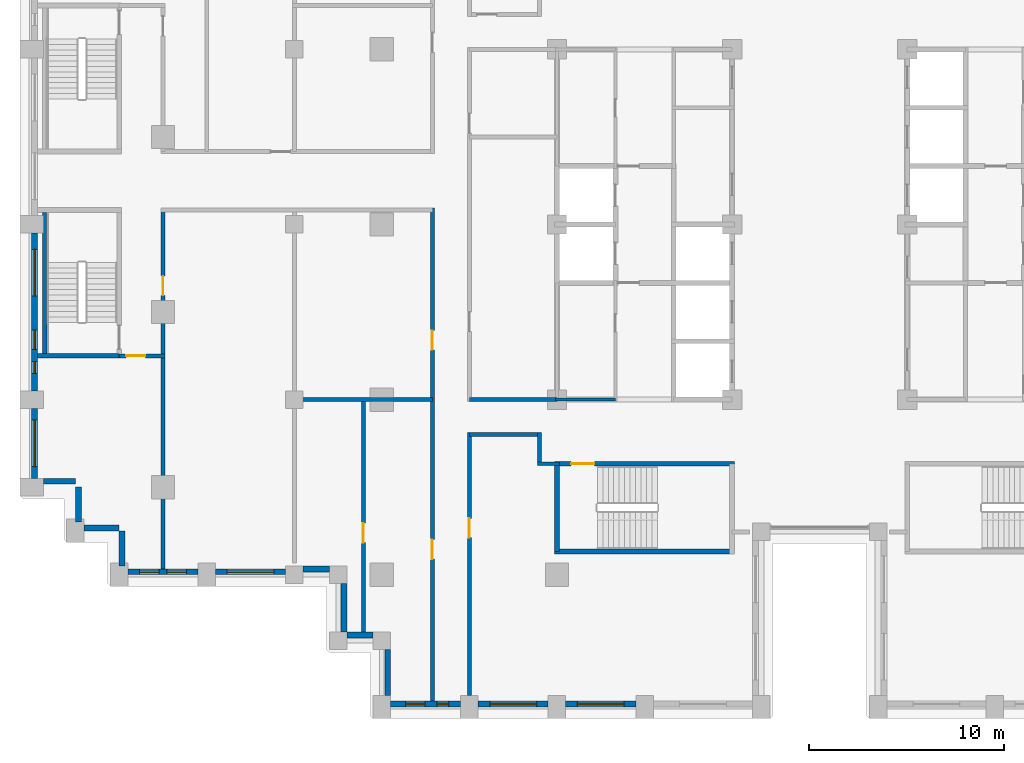
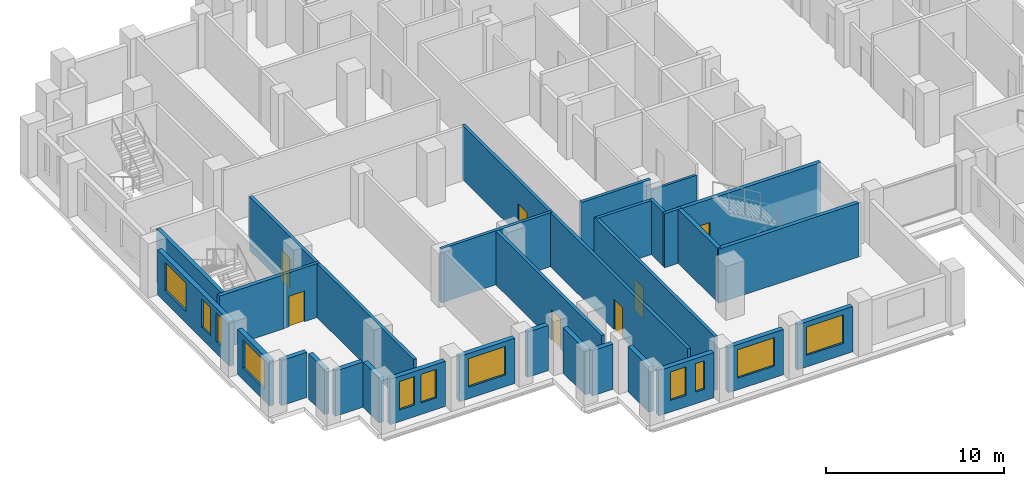
# One storey, part 6 of 15: 31 walls, 11 windows, 7 doors, 18 openings.
"""IFC4 building model written with IfcOpenShell, lengths in metres."""

from ifc_helpers import new_model, si_unit, direction, frame, frame_2d, origin, place, context, subcontext, project, spatial, rectangle, extrude, material, layer, layer_set, type_object, element, fill, save


model = new_model("IFC4")

# Units and contexts
model_context = context("Model", 3, precision=1e-05, world=origin(), true_north=direction((0.0, 1.0)))
body_context = subcontext(model_context, "Body", "Model", "MODEL_VIEW")
ifc_project = project(units=[si_unit("LENGTHUNIT", "METRE"), si_unit("AREAUNIT", "SQUARE_METRE"), si_unit("VOLUMEUNIT", "CUBIC_METRE"), si_unit("PLANEANGLEUNIT", "RADIAN"), si_unit("MASSUNIT", "GRAM", prefix="KILO")], contexts=[model_context])

# Site, building, storey
site_placement = place(None, origin())
site = spatial("IfcSite", under=ifc_project, at=site_placement, CompositionType="ELEMENT")
building_placement = place(site_placement, origin())
building = spatial("IfcBuilding", under=site, at=building_placement, Name="Corbelhall Arena Tower", CompositionType="ELEMENT")
storey_placement = place(building_placement, frame((0.0, 0.0, 96.0)))
storey = spatial("IfcBuildingStorey", under=building, at=storey_placement, Name="L16", CompositionType="ELEMENT", Elevation=96.0)

# Walls
ifc_material_1 = material(Name="Precast concrete C40/50 with granite facing", Category="masonry")
ifc_layer_1 = layer(ifc_material_1, 0.300048828125)
ifc_layer_set_1 = layer_set([ifc_layer_1], Name="EV-IW1 Infill panel 300")
wall_type_1 = type_object("IfcWallType", Name="EV-IW1 Infill panel 300", PredefinedType="SOLIDWALL", material=ifc_layer_set_1)
wall_1_placement = place(storey_placement, frame((-39.89990234375, -13.199951171875, 0.0), z_axis=(0.0, 0.0, 1.0), x_axis=(1.0, 0.0, 0.0)))
element("IfcWall", 1, at=wall_1_placement, inside=storey, type_object=wall_type_1, Name="Infill panel IW1", PredefinedType="SOLIDWALL", context=body_context, shape_type="SweptSolid", body=[
    extrude(rectangle(XDim=1.64990234375, YDim=0.300048828125, at=frame_2d((0.824951171875, 0.0))), origin(), (0.0, 0.0, 1.0), 3.10009765625),
])
for number, where, z_axis, x_axis, name in (
    (2, (-38.10009765625, -15.300048828125, 0.0), (0.0, 0.0, 1.0), (0.0, 1.0, 0.0), "Infill panel IW1"),
    (3, (-37.800048828125, -15.60009765625, 0.0), (0.0, 0.0, 1.0), (1.0, 0.0, 0.0), "Infill panel IW1"),
    (4, (-35.85009765625, -17.550048828125, 0.0), (0.0, 0.0, 1.0), (0.0, 1.0, 0.0), "Infill panel IW1"),
):
    element("IfcWall", number, at=place(storey_placement, frame(where, z_axis=z_axis, x_axis=x_axis)), inside=storey, type_object=wall_type_1, Name=name, PredefinedType="SOLIDWALL", context=body_context, shape_type="SweptSolid", body=[
        extrude(rectangle(XDim=1.800048828125, YDim=0.300048828125, at=frame_2d((0.89990234375, 0.0))), origin(), (0.0, 0.0, 1.0), 3.10009765625),
    ])

# Wall, openings, windows
wall_2_placement = place(storey_placement, frame((-40.35009765625, -0.449951171875, 0.0), z_axis=(0.0, 0.0, 1.0), x_axis=(0.0, -1.0, 0.0)))
wall_2 = element("IfcWall", 5, at=wall_2_placement, inside=storey, type_object=wall_type_1, Name="Infill panel IW1", PredefinedType="SOLIDWALL", context=body_context, shape_type="SweptSolid", body=[
    extrude(rectangle(XDim=8.10009765625, YDim=0.300048828125, at=frame_2d((4.050048828125, 0.0))), origin(), (0.0, 0.0, 1.0), 3.10009765625),
])
opening_1_placement = place(wall_2_placement, frame((0.824951171875, 0.0, 0.800048828125)))
opening_1 = element("IfcOpeningElement", 6, at=opening_1_placement, cuts=wall_2, Name="Opening WN1", PredefinedType="OPENING", context=body_context, shape_type="SweptSolid", body=[
    extrude(rectangle(XDim=2.39990234375, YDim=1.949951171875, at=frame_2d((1.199951171875, 0.97509765625))), frame((0.0, 0.14990234375, 0.0), z_axis=(0.0, -1.0, 0.0), x_axis=(1.0, 0.0, 0.0)), (0.0, 0.0, 1.0), 0.300048828125),
])
opening_2_placement = place(wall_2_placement, frame((4.97509765625, 0.0, 0.800048828125)))
opening_2 = element("IfcOpeningElement", 7, at=opening_2_placement, cuts=wall_2, Name="Opening WN6", PredefinedType="OPENING", context=body_context, shape_type="SweptSolid", body=[
    extrude(rectangle(XDim=1.0, YDim=1.949951171875, at=frame_2d((0.5, 0.97509765625))), frame((0.0, 0.14990234375, 0.0), z_axis=(0.0, -1.0, 0.0), x_axis=(1.0, 0.0, 0.0)), (0.0, 0.0, 1.0), 0.300048828125),
])
opening_3_placement = place(wall_2_placement, frame((6.60009765625, 0.0, 0.800048828125)))
opening_3 = element("IfcOpeningElement", 8, at=opening_3_placement, cuts=wall_2, Name="Opening WN5", PredefinedType="OPENING", context=body_context, shape_type="SweptSolid", body=[
    extrude(rectangle(XDim=0.60009765625, YDim=1.949951171875, at=frame_2d((0.300048828125, 0.97509765625))), frame((0.0, 0.14990234375, 0.0), z_axis=(0.0, -1.0, 0.0), x_axis=(1.0, 0.0, 0.0)), (0.0, 0.0, 1.0), 0.300048828125),
])
ifc_material_2 = material(Name="Aluminium black anodised", Category="aluminium")
window_type_1 = type_object("IfcWindowType", Name="EV-WN1 Office window", PartitioningType="SINGLE_PANEL", PredefinedType="WINDOW", material=ifc_material_2)
window_1_placement = place(opening_1_placement, origin())
window_1 = element("IfcWindow", 9, at=window_1_placement, inside=storey, type_object=window_type_1, Name="Window WN1", OverallHeight=1.949951171875, OverallWidth=2.39990234375, PartitioningType="SINGLE_PANEL", PredefinedType="WINDOW", context=body_context, shape_type="SweptSolid", body=[
    extrude(rectangle(XDim=2.39990234375, YDim=1.949951171875, at=frame_2d((1.199951171875, 0.97509765625))), frame((0.0, 0.030029296875, 0.0), z_axis=(0.0, -1.0, 0.0), x_axis=(1.0, 0.0, 0.0)), (0.0, 0.0, 1.0), 0.06005859375),
])
fill(opening_1, window_1)
window_type_2 = type_object("IfcWindowType", Name="EV-WN5 Office window 600", PartitioningType="SINGLE_PANEL", PredefinedType="WINDOW", material=ifc_material_2)
window_2_placement = place(opening_3_placement, origin())
window_2 = element("IfcWindow", 10, at=window_2_placement, inside=storey, type_object=window_type_2, Name="Window WN5", OverallHeight=1.949951171875, OverallWidth=0.60009765625, PartitioningType="SINGLE_PANEL", PredefinedType="WINDOW", context=body_context, shape_type="SweptSolid", body=[
    extrude(rectangle(XDim=0.60009765625, YDim=1.949951171875, at=frame_2d((0.300048828125, 0.97509765625))), frame((0.0, 0.030029296875, 0.0), z_axis=(0.0, -1.0, 0.0), x_axis=(1.0, 0.0, 0.0)), (0.0, 0.0, 1.0), 0.06005859375),
])
fill(opening_3, window_2)
window_type_3 = type_object("IfcWindowType", Name="EV-WN6 Office window 1000", PartitioningType="SINGLE_PANEL", PredefinedType="WINDOW", material=ifc_material_2)
window_3_placement = place(opening_2_placement, origin())
window_3 = element("IfcWindow", 11, at=window_3_placement, inside=storey, type_object=window_type_3, Name="Window WN6", OverallHeight=1.949951171875, OverallWidth=1.0, PartitioningType="SINGLE_PANEL", PredefinedType="WINDOW", context=body_context, shape_type="SweptSolid", body=[
    extrude(rectangle(XDim=1.0, YDim=1.949951171875, at=frame_2d((0.5, 0.97509765625))), frame((0.0, 0.030029296875, 0.0), z_axis=(0.0, -1.0, 0.0), x_axis=(1.0, 0.0, 0.0)), (0.0, 0.0, 1.0), 0.06005859375),
])
fill(opening_2, window_3)

# Wall, opening, window
wall_3_placement = place(storey_placement, frame((-40.35009765625, -9.449951171875, 0.0), z_axis=(0.0, 0.0, 1.0), x_axis=(0.0, -1.0, 0.0)))
wall_3 = element("IfcWall", 12, at=wall_3_placement, inside=storey, type_object=wall_type_1, Name="Infill panel IW1", PredefinedType="SOLIDWALL", context=body_context, shape_type="SweptSolid", body=[
    extrude(rectangle(XDim=3.60009765625, YDim=0.300048828125, at=frame_2d((1.800048828125, 0.0))), origin(), (0.0, 0.0, 1.0), 3.10009765625),
])
opening_4_placement = place(wall_3_placement, frame((0.60009765625, 0.0, 0.800048828125)))
opening_4 = element("IfcOpeningElement", 13, at=opening_4_placement, cuts=wall_3, Name="Opening WN1", PredefinedType="OPENING", context=body_context, shape_type="SweptSolid", body=[
    extrude(rectangle(XDim=2.39990234375, YDim=1.949951171875, at=frame_2d((1.199951171875, 0.97509765625))), frame((0.0, 0.14990234375, 0.0), z_axis=(0.0, -1.0, 0.0), x_axis=(1.0, 0.0, 0.0)), (0.0, 0.0, 1.0), 0.300048828125),
])
window_4_placement = place(opening_4_placement, origin())
window_4 = element("IfcWindow", 14, at=window_4_placement, inside=storey, type_object=window_type_1, Name="Window WN1", OverallHeight=1.949951171875, OverallWidth=2.39990234375, PartitioningType="SINGLE_PANEL", PredefinedType="WINDOW", context=body_context, shape_type="SweptSolid", body=[
    extrude(rectangle(XDim=2.39990234375, YDim=1.949951171875, at=frame_2d((1.199951171875, 0.97509765625))), frame((0.0, 0.030029296875, 0.0), z_axis=(0.0, -1.0, 0.0), x_axis=(1.0, 0.0, 0.0)), (0.0, 0.0, 1.0), 0.06005859375),
])
fill(opening_4, window_4)

# Wall, openings, windows
wall_4_placement = place(storey_placement, frame((-35.550048828125, -17.85009765625, 0.0), z_axis=(0.0, 0.0, 1.0), x_axis=(1.0, 0.0, 0.0)))
wall_4 = element("IfcWall", 15, at=wall_4_placement, inside=storey, type_object=wall_type_1, Name="Infill panel IW1", PredefinedType="SOLIDWALL", context=body_context, shape_type="SweptSolid", body=[
    extrude(rectangle(XDim=3.60009765625, YDim=0.300048828125, at=frame_2d((1.800048828125, 0.0))), origin(), (0.0, 0.0, 1.0), 3.10009765625),
])
opening_5_placement = place(wall_4_placement, frame((0.60009765625, 0.0, 0.800048828125)))
opening_5 = element("IfcOpeningElement", 16, at=opening_5_placement, cuts=wall_4, Name="Opening WN6", PredefinedType="OPENING", context=body_context, shape_type="SweptSolid", body=[
    extrude(rectangle(XDim=1.0, YDim=1.949951171875, at=frame_2d((0.5, 0.97509765625))), frame((0.0, 0.14990234375, 0.0), z_axis=(0.0, -1.0, 0.0), x_axis=(1.0, 0.0, 0.0)), (0.0, 0.0, 1.0), 0.300048828125),
])
opening_6_placement = place(wall_4_placement, frame((2.0, 0.0, 0.800048828125)))
opening_6 = element("IfcOpeningElement", 17, at=opening_6_placement, cuts=wall_4, Name="Opening WN6", PredefinedType="OPENING", context=body_context, shape_type="SweptSolid", body=[
    extrude(rectangle(XDim=1.0, YDim=1.949951171875, at=frame_2d((0.5, 0.97509765625))), frame((0.0, 0.14990234375, 0.0), z_axis=(0.0, -1.0, 0.0), x_axis=(1.0, 0.0, 0.0)), (0.0, 0.0, 1.0), 0.300048828125),
])
window_5_placement = place(opening_5_placement, origin())
window_5 = element("IfcWindow", 18, at=window_5_placement, inside=storey, type_object=window_type_3, Name="Window WN6", OverallHeight=1.949951171875, OverallWidth=1.0, PartitioningType="SINGLE_PANEL", PredefinedType="WINDOW", context=body_context, shape_type="SweptSolid", body=[
    extrude(rectangle(XDim=1.0, YDim=1.949951171875, at=frame_2d((0.5, 0.97509765625))), frame((0.0, 0.030029296875, 0.0), z_axis=(0.0, -1.0, 0.0), x_axis=(1.0, 0.0, 0.0)), (0.0, 0.0, 1.0), 0.06005859375),
])
fill(opening_5, window_5)
window_6_placement = place(opening_6_placement, origin())
window_6 = element("IfcWindow", 19, at=window_6_placement, inside=storey, type_object=window_type_3, Name="Window WN6", OverallHeight=1.949951171875, OverallWidth=1.0, PartitioningType="SINGLE_PANEL", PredefinedType="WINDOW", context=body_context, shape_type="SweptSolid", body=[
    extrude(rectangle(XDim=1.0, YDim=1.949951171875, at=frame_2d((0.5, 0.97509765625))), frame((0.0, 0.030029296875, 0.0), z_axis=(0.0, -1.0, 0.0), x_axis=(1.0, 0.0, 0.0)), (0.0, 0.0, 1.0), 0.06005859375),
])
fill(opening_6, window_6)

# Wall, opening, window
wall_5_placement = place(storey_placement, frame((-31.050048828125, -17.85009765625, 0.0), z_axis=(0.0, 0.0, 1.0), x_axis=(1.0, 0.0, 0.0)))
wall_5 = element("IfcWall", 20, at=wall_5_placement, inside=storey, type_object=wall_type_1, Name="Infill panel IW1", PredefinedType="SOLIDWALL", context=body_context, shape_type="SweptSolid", body=[
    extrude(rectangle(XDim=3.60009765625, YDim=0.300048828125, at=frame_2d((1.800048828125, 0.0))), origin(), (0.0, 0.0, 1.0), 3.10009765625),
])
opening_7_placement = place(wall_5_placement, frame((0.60009765625, 0.0, 0.800048828125)))
opening_7 = element("IfcOpeningElement", 21, at=opening_7_placement, cuts=wall_5, Name="Opening WN1", PredefinedType="OPENING", context=body_context, shape_type="SweptSolid", body=[
    extrude(rectangle(XDim=2.39990234375, YDim=1.949951171875, at=frame_2d((1.199951171875, 0.97509765625))), frame((0.0, 0.14990234375, 0.0), z_axis=(0.0, -1.0, 0.0), x_axis=(1.0, 0.0, 0.0)), (0.0, 0.0, 1.0), 0.300048828125),
])
window_7_placement = place(opening_7_placement, origin())
window_7 = element("IfcWindow", 22, at=window_7_placement, inside=storey, type_object=window_type_1, Name="Window WN1", OverallHeight=1.949951171875, OverallWidth=2.39990234375, PartitioningType="SINGLE_PANEL", PredefinedType="WINDOW", context=body_context, shape_type="SweptSolid", body=[
    extrude(rectangle(XDim=2.39990234375, YDim=1.949951171875, at=frame_2d((1.199951171875, 0.97509765625))), frame((0.0, 0.030029296875, 0.0), z_axis=(0.0, -1.0, 0.0), x_axis=(1.0, 0.0, 0.0)), (0.0, 0.0, 1.0), 0.06005859375),
])
fill(opening_7, window_7)

# Walls
wall_6_placement = place(storey_placement, frame((-26.550048828125, -17.699951171875, 0.0), z_axis=(0.0, 0.0, 1.0), x_axis=(1.0, 0.0, 0.0)))
element("IfcWall", 23, at=wall_6_placement, inside=storey, type_object=wall_type_1, Name="Infill panel IW1", PredefinedType="SOLIDWALL", context=body_context, shape_type="SweptSolid", body=[
    extrude(rectangle(XDim=1.35009765625, YDim=0.300048828125, at=frame_2d((0.675048828125, 0.0))), origin(), (0.0, 0.0, 1.0), 3.10009765625),
])
wall_7_placement = place(storey_placement, frame((-24.449951171875, -18.449951171875, 0.0), z_axis=(0.0, 0.0, 1.0), x_axis=(0.0, -1.0, 0.0)))
element("IfcWall", 24, at=wall_7_placement, inside=storey, type_object=wall_type_1, Name="Infill panel IW1", PredefinedType="SOLIDWALL", context=body_context, shape_type="SweptSolid", body=[
    extrude(rectangle(XDim=2.5, YDim=0.300048828125, at=frame_2d((1.25, 0.0))), origin(), (0.0, 0.0, 1.0), 3.10009765625),
])
wall_8_placement = place(storey_placement, frame((-24.300048828125, -21.10009765625, 0.0), z_axis=(0.0, 0.0, 1.0), x_axis=(1.0, 0.0, 0.0)))
element("IfcWall", 25, at=wall_8_placement, inside=storey, type_object=wall_type_1, Name="Infill panel IW1", PredefinedType="SOLIDWALL", context=body_context, shape_type="SweptSolid", body=[
    extrude(rectangle(XDim=1.35009765625, YDim=0.300048828125, at=frame_2d((0.675048828125, 0.0))), origin(), (0.0, 0.0, 1.0), 3.10009765625),
])
wall_9_placement = place(storey_placement, frame((-22.199951171875, -21.85009765625, 0.0), z_axis=(0.0, 0.0, 1.0), x_axis=(0.0, -1.0, 0.0)))
element("IfcWall", 26, at=wall_9_placement, inside=storey, type_object=wall_type_1, Name="Infill panel IW1", PredefinedType="SOLIDWALL", context=body_context, shape_type="SweptSolid", body=[
    extrude(rectangle(XDim=2.349853515625, YDim=0.300048828125, at=frame_2d((1.1748046875, 0.0))), origin(), (0.0, 0.0, 1.0), 3.10009765625),
])

# Wall, openings, windows
wall_10_placement = place(storey_placement, frame((-22.050048828125, -24.64990234375, 0.0), z_axis=(0.0, 0.0, 1.0), x_axis=(1.0, 0.0, 0.0)))
wall_10 = element("IfcWall", 27, at=wall_10_placement, inside=storey, type_object=wall_type_1, Name="Infill panel IW1", PredefinedType="SOLIDWALL", context=body_context, shape_type="SweptSolid", body=[
    extrude(rectangle(XDim=3.60009765625, YDim=0.300048828125, at=frame_2d((1.800048828125, 0.0))), origin(), (0.0, 0.0, 1.0), 3.10009765625),
])
opening_8_placement = place(wall_10_placement, frame((0.77490234375, 0.0, 0.800048828125)))
opening_8 = element("IfcOpeningElement", 28, at=opening_8_placement, cuts=wall_10, Name="Opening WN6", PredefinedType="OPENING", context=body_context, shape_type="SweptSolid", body=[
    extrude(rectangle(XDim=1.0, YDim=1.949951171875, at=frame_2d((0.5, 0.97509765625))), frame((0.0, 0.14990234375, 0.0), z_axis=(0.0, -1.0, 0.0), x_axis=(1.0, 0.0, 0.0)), (0.0, 0.0, 1.0), 0.300048828125),
])
opening_9_placement = place(wall_10_placement, frame((2.375, 0.0, 0.800048828125)))
opening_9 = element("IfcOpeningElement", 29, at=opening_9_placement, cuts=wall_10, Name="Opening WN5", PredefinedType="OPENING", context=body_context, shape_type="SweptSolid", body=[
    extrude(rectangle(XDim=0.60009765625, YDim=1.949951171875, at=frame_2d((0.300048828125, 0.97509765625))), frame((0.0, 0.14990234375, 0.0), z_axis=(0.0, -1.0, 0.0), x_axis=(1.0, 0.0, 0.0)), (0.0, 0.0, 1.0), 0.300048828125),
])
window_8_placement = place(opening_9_placement, origin())
window_8 = element("IfcWindow", 30, at=window_8_placement, inside=storey, type_object=window_type_2, Name="Window WN5", OverallHeight=1.949951171875, OverallWidth=0.60009765625, PartitioningType="SINGLE_PANEL", PredefinedType="WINDOW", context=body_context, shape_type="SweptSolid", body=[
    extrude(rectangle(XDim=0.60009765625, YDim=1.949951171875, at=frame_2d((0.300048828125, 0.97509765625))), frame((0.0, 0.030029296875, 0.0), z_axis=(0.0, -1.0, 0.0), x_axis=(1.0, 0.0, 0.0)), (0.0, 0.0, 1.0), 0.06005859375),
])
fill(opening_9, window_8)
window_9_placement = place(opening_8_placement, origin())
window_9 = element("IfcWindow", 31, at=window_9_placement, inside=storey, type_object=window_type_3, Name="Window WN6", OverallHeight=1.949951171875, OverallWidth=1.0, PartitioningType="SINGLE_PANEL", PredefinedType="WINDOW", context=body_context, shape_type="SweptSolid", body=[
    extrude(rectangle(XDim=1.0, YDim=1.949951171875, at=frame_2d((0.5, 0.97509765625))), frame((0.0, 0.030029296875, 0.0), z_axis=(0.0, -1.0, 0.0), x_axis=(1.0, 0.0, 0.0)), (0.0, 0.0, 1.0), 0.06005859375),
])
fill(opening_8, window_9)

# Wall, opening, window
wall_11_placement = place(storey_placement, frame((-17.550048828125, -24.64990234375, 0.0), z_axis=(0.0, 0.0, 1.0), x_axis=(1.0, 0.0, 0.0)))
wall_11 = element("IfcWall", 32, at=wall_11_placement, inside=storey, type_object=wall_type_1, Name="Infill panel IW1", PredefinedType="SOLIDWALL", context=body_context, shape_type="SweptSolid", body=[
    extrude(rectangle(XDim=3.60009765625, YDim=0.300048828125, at=frame_2d((1.800048828125, 0.0))), origin(), (0.0, 0.0, 1.0), 3.10009765625),
])
opening_10_placement = place(wall_11_placement, frame((0.60009765625, 0.0, 0.800048828125)))
opening_10 = element("IfcOpeningElement", 33, at=opening_10_placement, cuts=wall_11, Name="Opening WN1", PredefinedType="OPENING", context=body_context, shape_type="SweptSolid", body=[
    extrude(rectangle(XDim=2.39990234375, YDim=1.949951171875, at=frame_2d((1.199951171875, 0.97509765625))), frame((0.0, 0.14990234375, 0.0), z_axis=(0.0, -1.0, 0.0), x_axis=(1.0, 0.0, 0.0)), (0.0, 0.0, 1.0), 0.300048828125),
])
window_10_placement = place(opening_10_placement, origin())
window_10 = element("IfcWindow", 34, at=window_10_placement, inside=storey, type_object=window_type_1, Name="Window WN1", OverallHeight=1.949951171875, OverallWidth=2.39990234375, PartitioningType="SINGLE_PANEL", PredefinedType="WINDOW", context=body_context, shape_type="SweptSolid", body=[
    extrude(rectangle(XDim=2.39990234375, YDim=1.949951171875, at=frame_2d((1.199951171875, 0.97509765625))), frame((0.0, 0.030029296875, 0.0), z_axis=(0.0, -1.0, 0.0), x_axis=(1.0, 0.0, 0.0)), (0.0, 0.0, 1.0), 0.06005859375),
])
fill(opening_10, window_10)

wall_12_placement = place(storey_placement, frame((-13.050048828125, -24.64990234375, 0.0), z_axis=(0.0, 0.0, 1.0), x_axis=(1.0, 0.0, 0.0)))
wall_12 = element("IfcWall", 35, at=wall_12_placement, inside=storey, type_object=wall_type_1, Name="Infill panel IW1", PredefinedType="SOLIDWALL", context=body_context, shape_type="SweptSolid", body=[
    extrude(rectangle(XDim=3.60009765625, YDim=0.300048828125, at=frame_2d((1.800048828125, 0.0))), origin(), (0.0, 0.0, 1.0), 3.10009765625),
])
opening_11_placement = place(wall_12_placement, frame((0.60009765625, 0.0, 0.800048828125)))
opening_11 = element("IfcOpeningElement", 36, at=opening_11_placement, cuts=wall_12, Name="Opening WN1", PredefinedType="OPENING", context=body_context, shape_type="SweptSolid", body=[
    extrude(rectangle(XDim=2.39990234375, YDim=1.949951171875, at=frame_2d((1.199951171875, 0.97509765625))), frame((0.0, 0.14990234375, 0.0), z_axis=(0.0, -1.0, 0.0), x_axis=(1.0, 0.0, 0.0)), (0.0, 0.0, 1.0), 0.300048828125),
])
window_11_placement = place(opening_11_placement, origin())
window_11 = element("IfcWindow", 37, at=window_11_placement, inside=storey, type_object=window_type_1, Name="Window WN1", OverallHeight=1.949951171875, OverallWidth=2.39990234375, PartitioningType="SINGLE_PANEL", PredefinedType="WINDOW", context=body_context, shape_type="SweptSolid", body=[
    extrude(rectangle(XDim=2.39990234375, YDim=1.949951171875, at=frame_2d((1.199951171875, 0.97509765625))), frame((0.0, 0.030029296875, 0.0), z_axis=(0.0, -1.0, 0.0), x_axis=(1.0, 0.0, 0.0)), (0.0, 0.0, 1.0), 0.06005859375),
])
fill(opening_11, window_11)

# Wall, opening, door
ifc_material_3 = material(Name="Gypsum board on steel stud, acoustic", Category="steel")
ifc_layer_2 = layer(ifc_material_3, 0.199951171875)
ifc_layer_set_2 = layer_set([ifc_layer_2], Name="IN-W-DM200")
wall_type_2 = type_object("IfcWallType", Name="IN-W-DM200", PredefinedType="PARTITIONING", material=ifc_layer_set_2)
wall_13_placement = place(storey_placement, frame((-33.75, 0.75, 0.0), z_axis=(0.0, 0.0, 1.0), x_axis=(0.0, -1.0, 0.0)))
wall_13 = element("IfcWall", 38, at=wall_13_placement, inside=storey, type_object=wall_type_2, Name="Partition 003", PredefinedType="PARTITIONING", context=body_context, shape_type="SweptSolid", body=[
    extrude(rectangle(XDim=18.449951171875, YDim=0.199951171875, at=frame_2d((9.22509765625, 0.0))), origin(), (0.0, 0.0, 1.0), 3.699951171875),
])
opening_12_placement = place(wall_13_placement, frame((3.39990234375, 0.0, 0.0)))
opening_12 = element("IfcOpeningElement", 39, at=opening_12_placement, cuts=wall_13, Name="Opening 03044", PredefinedType="OPENING", context=body_context, shape_type="SweptSolid", body=[
    extrude(rectangle(XDim=1.0, YDim=2.10009765625, at=frame_2d((0.5, 1.050048828125))), frame((0.0, 0.10009765625, 0.0), z_axis=(0.0, -1.0, 0.0), x_axis=(1.0, 0.0, 0.0)), (0.0, 0.0, 1.0), 0.199951171875),
])
ifc_material_4 = material(Name="Steel door set", Category="steel")
door_type_1 = type_object("IfcDoorType", Name="IN-D-SW100", OperationType="NOTDEFINED", PredefinedType="DOOR", material=ifc_material_4)
door_1_placement = place(opening_12_placement, origin())
door_1 = element("IfcDoor", 40, at=door_1_placement, inside=storey, type_object=door_type_1, Name="Door 044", OperationType="SINGLE_SWING_LEFT", OverallHeight=2.10009765625, OverallWidth=1.0, PredefinedType="DOOR", context=body_context, shape_type="SweptSolid", body=[
    extrude(rectangle(XDim=1.0, YDim=2.10009765625, at=frame_2d((0.5, 1.050048828125))), frame((0.0, 0.02490234375, 0.0), z_axis=(0.0, -1.0, 0.0), x_axis=(1.0, 0.0, 0.0)), (0.0, 0.0, 1.0), 0.050048828125),
])
fill(opening_12, door_1)

wall_14_placement = place(storey_placement, frame((-33.64990234375, -6.75, 0.0), z_axis=(0.0, 0.0, 1.0), x_axis=(-1.0, 0.0, 0.0)))
wall_14 = element("IfcWall", 41, at=wall_14_placement, inside=storey, type_object=wall_type_2, Name="Partition 005", PredefinedType="PARTITIONING", context=body_context, shape_type="SweptSolid", body=[
    extrude(rectangle(XDim=2.35009765625, YDim=0.199951171875, at=frame_2d((1.175048828125, 0.0))), origin(), (0.0, 0.0, 1.0), 3.699951171875),
])
opening_13_placement = place(wall_14_placement, frame((1.0, 0.0, 0.0)))
opening_13 = element("IfcOpeningElement", 42, at=opening_13_placement, cuts=wall_14, Name="Opening 03043", PredefinedType="OPENING", context=body_context, shape_type="SweptSolid", body=[
    extrude(rectangle(XDim=1.0, YDim=2.10009765625, at=frame_2d((0.5, 1.050048828125))), frame((0.0, 0.10009765625, 0.0), z_axis=(0.0, -1.0, 0.0), x_axis=(1.0, 0.0, 0.0)), (0.0, 0.0, 1.0), 0.199951171875),
])
door_2_placement = place(opening_13_placement, origin())
door_2 = element("IfcDoor", 43, at=door_2_placement, inside=storey, type_object=door_type_1, Name="Door 043", OperationType="SINGLE_SWING_RIGHT", OverallHeight=2.10009765625, OverallWidth=1.0, PredefinedType="DOOR", context=body_context, shape_type="SweptSolid", body=[
    extrude(rectangle(XDim=1.0, YDim=2.10009765625, at=frame_2d((0.5, 1.050048828125))), frame((0.0, 0.02490234375, 0.0), z_axis=(0.0, -1.0, 0.0), x_axis=(1.0, 0.0, 0.0)), (0.0, 0.0, 1.0), 0.050048828125),
])
fill(opening_13, door_2)

# Wall
wall_15_placement = place(storey_placement, frame((-27.10009765625, -9.0, 0.0), z_axis=(0.0, 0.0, 1.0), x_axis=(1.0, 0.0, 0.0)))
element("IfcWall", 44, at=wall_15_placement, inside=storey, type_object=wall_type_2, Name="Partition 007", PredefinedType="PARTITIONING", context=body_context, shape_type="SweptSolid", body=[
    extrude(rectangle(XDim=7.2001953125, YDim=0.199951171875, at=frame_2d((3.60009765625, 0.0))), origin(), (0.0, 0.0, 1.0), 3.699951171875),
])

# Wall, opening, door
wall_16_placement = place(storey_placement, frame((-23.449951171875, -20.949951171875, 0.0), z_axis=(0.0, 0.0, 1.0), x_axis=(0.0, 1.0, 0.0)))
wall_16 = element("IfcWall", 45, at=wall_16_placement, inside=storey, type_object=wall_type_2, Name="Partition 012", PredefinedType="PARTITIONING", context=body_context, shape_type="SweptSolid", body=[
    extrude(rectangle(XDim=12.050048828125, YDim=0.199951171875, at=frame_2d((6.02490234375, 0.0))), origin(), (0.0, 0.0, 1.0), 3.699951171875),
])
opening_14_placement = place(wall_16_placement, frame((4.60009765625, 0.0, 0.0)))
opening_14 = element("IfcOpeningElement", 46, at=opening_14_placement, cuts=wall_16, Name="Opening 03032", PredefinedType="OPENING", context=body_context, shape_type="SweptSolid", body=[
    extrude(rectangle(XDim=1.0, YDim=2.10009765625, at=frame_2d((0.5, 1.050048828125))), frame((0.0, 0.10009765625, 0.0), z_axis=(0.0, -1.0, 0.0), x_axis=(1.0, 0.0, 0.0)), (0.0, 0.0, 1.0), 0.199951171875),
])
door_3_placement = place(opening_14_placement, origin())
door_3 = element("IfcDoor", 47, at=door_3_placement, inside=storey, type_object=door_type_1, Name="Door 032", OperationType="SINGLE_SWING_LEFT", OverallHeight=2.10009765625, OverallWidth=1.0, PredefinedType="DOOR", context=body_context, shape_type="SweptSolid", body=[
    extrude(rectangle(XDim=1.0, YDim=2.10009765625, at=frame_2d((0.5, 1.050048828125))), frame((0.0, 0.02490234375, 0.0), z_axis=(0.0, -1.0, 0.0), x_axis=(1.0, 0.0, 0.0)), (0.0, 0.0, 1.0), 0.050048828125),
])
fill(opening_14, door_3)

# Wall, openings, doors
wall_17_placement = place(storey_placement, frame((-19.89990234375, -24.5, 0.0), z_axis=(0.0, 0.0, 1.0), x_axis=(0.0, 1.0, 0.0)))
wall_17 = element("IfcWall", 48, at=wall_17_placement, inside=storey, type_object=wall_type_2, Name="Partition 014", PredefinedType="PARTITIONING", context=body_context, shape_type="SweptSolid", body=[
    extrude(rectangle(XDim=25.35009765625, YDim=0.199951171875, at=frame_2d((12.675048828125, 0.0))), origin(), (0.0, 0.0, 1.0), 3.699951171875),
])
opening_15_placement = place(wall_17_placement, frame((7.300048828125, 0.0, 0.0)))
opening_15 = element("IfcOpeningElement", 49, at=opening_15_placement, cuts=wall_17, Name="Opening 03031", PredefinedType="OPENING", context=body_context, shape_type="SweptSolid", body=[
    extrude(rectangle(XDim=1.0, YDim=2.10009765625, at=frame_2d((0.5, 1.050048828125))), frame((0.0, 0.10009765625, 0.0), z_axis=(0.0, -1.0, 0.0), x_axis=(1.0, 0.0, 0.0)), (0.0, 0.0, 1.0), 0.199951171875),
])
opening_16_placement = place(wall_17_placement, frame((18.050048828125, 0.0, 0.0)))
opening_16 = element("IfcOpeningElement", 50, at=opening_16_placement, cuts=wall_17, Name="Opening 03033", PredefinedType="OPENING", context=body_context, shape_type="SweptSolid", body=[
    extrude(rectangle(XDim=1.0, YDim=2.10009765625, at=frame_2d((0.5, 1.050048828125))), frame((0.0, 0.10009765625, 0.0), z_axis=(0.0, -1.0, 0.0), x_axis=(1.0, 0.0, 0.0)), (0.0, 0.0, 1.0), 0.199951171875),
])
door_4_placement = place(opening_15_placement, origin())
door_4 = element("IfcDoor", 51, at=door_4_placement, inside=storey, type_object=door_type_1, Name="Door 031", OperationType="SINGLE_SWING_RIGHT", OverallHeight=2.10009765625, OverallWidth=1.0, PredefinedType="DOOR", context=body_context, shape_type="SweptSolid", body=[
    extrude(rectangle(XDim=1.0, YDim=2.10009765625, at=frame_2d((0.5, 1.050048828125))), frame((0.0, 0.02490234375, 0.0), z_axis=(0.0, -1.0, 0.0), x_axis=(1.0, 0.0, 0.0)), (0.0, 0.0, 1.0), 0.050048828125),
])
fill(opening_15, door_4)
door_5_placement = place(opening_16_placement, origin())
door_5 = element("IfcDoor", 52, at=door_5_placement, inside=storey, type_object=door_type_1, Name="Door 033", OperationType="SINGLE_SWING_RIGHT", OverallHeight=2.10009765625, OverallWidth=1.0, PredefinedType="DOOR", context=body_context, shape_type="SweptSolid", body=[
    extrude(rectangle(XDim=1.0, YDim=2.10009765625, at=frame_2d((0.5, 1.050048828125))), frame((0.0, 0.02490234375, 0.0), z_axis=(0.0, -1.0, 0.0), x_axis=(1.0, 0.0, 0.0)), (0.0, 0.0, 1.0), 0.050048828125),
])
fill(opening_16, door_5)

# Wall, opening, door
wall_18_placement = place(storey_placement, frame((-18.0, -10.699951171875, 0.0), z_axis=(0.0, 0.0, 1.0), x_axis=(0.0, -1.0, 0.0)))
wall_18 = element("IfcWall", 53, at=wall_18_placement, inside=storey, type_object=wall_type_2, Name="Partition 017", PredefinedType="PARTITIONING", context=body_context, shape_type="SweptSolid", body=[
    extrude(rectangle(XDim=13.5, YDim=0.199951171875, at=frame_2d((6.75, 0.0))), origin(), (0.0, 0.0, 1.0), 3.699951171875),
])
opening_17_placement = place(wall_18_placement, frame((4.39990234375, 0.0, 0.0)))
opening_17 = element("IfcOpeningElement", 54, at=opening_17_placement, cuts=wall_18, Name="Opening 03027", PredefinedType="OPENING", context=body_context, shape_type="SweptSolid", body=[
    extrude(rectangle(XDim=1.0, YDim=2.10009765625, at=frame_2d((0.5, 1.050048828125))), frame((0.0, 0.10009765625, 0.0), z_axis=(0.0, -1.0, 0.0), x_axis=(1.0, 0.0, 0.0)), (0.0, 0.0, 1.0), 0.199951171875),
])
door_6_placement = place(opening_17_placement, origin())
door_6 = element("IfcDoor", 55, at=door_6_placement, inside=storey, type_object=door_type_1, Name="Door 027", OperationType="SINGLE_SWING_RIGHT", OverallHeight=2.10009765625, OverallWidth=1.0, PredefinedType="DOOR", context=body_context, shape_type="SweptSolid", body=[
    extrude(rectangle(XDim=1.0, YDim=2.10009765625, at=frame_2d((0.5, 1.050048828125))), frame((0.0, 0.02490234375, 0.0), z_axis=(0.0, -1.0, 0.0), x_axis=(1.0, 0.0, 0.0)), (0.0, 0.0, 1.0), 0.050048828125),
])
fill(opening_17, door_6)

# Walls
wall_19_placement = place(storey_placement, frame((-18.0, -9.0, 0.0), z_axis=(0.0, 0.0, 1.0), x_axis=(1.0, 0.0, 0.0)))
element("IfcWall", 56, at=wall_19_placement, inside=storey, type_object=wall_type_2, Name="Partition 018", PredefinedType="PARTITIONING", context=body_context, shape_type="SweptSolid", body=[
    extrude(rectangle(XDim=4.5, YDim=0.199951171875, at=frame_2d((2.25, 0.0))), origin(), (0.0, 0.0, 1.0), 3.699951171875),
])
wall_20_placement = place(storey_placement, frame((-14.39990234375, -12.300048828125, 0.0), z_axis=(0.0, 0.0, 1.0), x_axis=(0.0, 1.0, 0.0)))
element("IfcWall", 57, at=wall_20_placement, inside=storey, type_object=wall_type_2, Name="Partition 027", PredefinedType="PARTITIONING", context=body_context, shape_type="SweptSolid", body=[
    extrude(rectangle(XDim=1.60009765625, YDim=0.199951171875, at=frame_2d((0.800048828125, 0.0))), origin(), (0.0, 0.0, 1.0), 3.699951171875),
])
wall_21_placement = place(storey_placement, frame((-14.39990234375, -10.800048828125, 0.0), z_axis=(0.0, 0.0, 1.0), x_axis=(-1.0, 0.0, 0.0)))
element("IfcWall", 58, at=wall_21_placement, inside=storey, type_object=wall_type_2, Name="Partition 028", PredefinedType="PARTITIONING", context=body_context, shape_type="SweptSolid", body=[
    extrude(rectangle(XDim=3.60009765625, YDim=0.199951171875, at=frame_2d((1.800048828125, 0.0))), origin(), (0.0, 0.0, 1.0), 3.699951171875),
])
wall_22_placement = place(storey_placement, frame((-13.375, -12.300048828125, 0.0), z_axis=(0.0, 0.0, 1.0), x_axis=(-1.0, 0.0, 0.0)))
element("IfcWall", 59, at=wall_22_placement, inside=storey, type_object=wall_type_2, Name="Partition 031", PredefinedType="PARTITIONING", context=body_context, shape_type="SweptSolid", body=[
    extrude(rectangle(XDim=1.125, YDim=0.199951171875, at=frame_2d((0.5625, 0.0))), origin(), (0.0, 0.0, 1.0), 3.699951171875),
])
ifc_material_5 = material(Name="Concrete C40/50", Category="concrete")
ifc_layer_3 = layer(ifc_material_5, 0.25)
ifc_layer_set_3 = layer_set([ifc_layer_3], Name="IN-W-ST250")
wall_type_3 = type_object("IfcWallType", Name="IN-W-ST250", PredefinedType="SOLIDWALL", material=ifc_layer_set_3)
wall_23_placement = place(storey_placement, frame((-36.0, -6.75, 0.0), z_axis=(0.0, 0.0, 1.0), x_axis=(-1.0, 0.0, 0.0)))
element("IfcWall", 60, at=wall_23_placement, inside=storey, type_object=wall_type_3, Name="Shaft wall 097", PredefinedType="SOLIDWALL", context=body_context, shape_type="SweptSolid", body=[
    extrude(rectangle(XDim=4.199951171875, YDim=0.25, at=frame_2d((2.10009765625, 0.0))), origin(), (0.0, 0.0, 1.0), 3.699951171875),
])
wall_24_placement = place(storey_placement, frame((-13.5, -16.800048828125, 0.0), z_axis=(0.0, 0.0, 1.0), x_axis=(0.0, 1.0, 0.0)))
element("IfcWall", 61, at=wall_24_placement, inside=storey, type_object=wall_type_3, Name="Shaft wall 103", PredefinedType="SOLIDWALL", context=body_context, shape_type="SweptSolid", body=[
    extrude(rectangle(XDim=4.5, YDim=0.25, at=frame_2d((2.25, 0.0))), origin(), (0.0, 0.0, 1.0), 3.699951171875),
])
wall_25_placement = place(storey_placement, frame((-4.5, -16.800048828125, 0.0), z_axis=(0.0, 0.0, 1.0), x_axis=(-1.0, 0.0, 0.0)))
element("IfcWall", 62, at=wall_25_placement, inside=storey, type_object=wall_type_3, Name="Shaft wall 105", PredefinedType="SOLIDWALL", context=body_context, shape_type="SweptSolid", body=[
    extrude(rectangle(XDim=9.125, YDim=0.25, at=frame_2d((4.5625, 0.0))), origin(), (0.0, 0.0, 1.0), 3.699951171875),
])

# Wall, opening, door
wall_26_placement = place(storey_placement, frame((-4.375, -12.300048828125, 0.0), z_axis=(0.0, 0.0, 1.0), x_axis=(-1.0, 0.0, 0.0)))
wall_26 = element("IfcWall", 63, at=wall_26_placement, inside=storey, type_object=wall_type_3, Name="Shaft wall 108", PredefinedType="SOLIDWALL", context=body_context, shape_type="SweptSolid", body=[
    extrude(rectangle(XDim=9.25, YDim=0.25, at=frame_2d((4.625, 0.0))), origin(), (0.0, 0.0, 1.0), 3.699951171875),
])
opening_18_placement = place(wall_26_placement, frame((7.199951171875, 0.0, 0.0)))
opening_18 = element("IfcOpeningElement", 64, at=opening_18_placement, cuts=wall_26, Name="Opening 03014", PredefinedType="OPENING", context=body_context, shape_type="SweptSolid", body=[
    extrude(rectangle(XDim=1.199951171875, YDim=2.10009765625, at=frame_2d((0.60009765625, 1.050048828125))), frame((0.0, 0.125, 0.0), z_axis=(0.0, -1.0, 0.0), x_axis=(1.0, 0.0, 0.0)), (0.0, 0.0, 1.0), 0.25),
])
door_type_2 = type_object("IfcDoorType", Name="IN-D-ST120", OperationType="NOTDEFINED", PredefinedType="DOOR", material=ifc_material_4)
door_7_placement = place(opening_18_placement, origin())
door_7 = element("IfcDoor", 65, at=door_7_placement, inside=storey, type_object=door_type_2, Name="Door 014", OperationType="SINGLE_SWING_LEFT", OverallHeight=2.10009765625, OverallWidth=1.199951171875, PredefinedType="DOOR", context=body_context, shape_type="SweptSolid", body=[
    extrude(rectangle(XDim=1.199951171875, YDim=2.10009765625, at=frame_2d((0.60009765625, 1.050048828125))), frame((0.0, 0.02490234375, 0.0), z_axis=(0.0, -1.0, 0.0), x_axis=(1.0, 0.0, 0.0)), (0.0, 0.0, 1.0), 0.050048828125),
])
fill(opening_18, door_7)

# Walls
wall_27_placement = place(storey_placement, frame((-39.824951171875, -6.625, 0.0), z_axis=(0.0, 0.0, 1.0), x_axis=(0.0, 1.0, 0.0)))
element("IfcWall", 66, at=wall_27_placement, inside=storey, type_object=wall_type_3, Name="Shaft wall SC2 facade side", PredefinedType="SOLIDWALL", context=body_context, shape_type="SweptSolid", body=[
    extrude(rectangle(XDim=7.25, YDim=0.25, at=frame_2d((3.625, 0.0))), origin(), (0.0, 0.0, 1.0), 3.699951171875),
])
ifc_material_6 = material(Name="Gypsum board on steel stud, moisture resistant", Category="steel")
ifc_layer_4 = layer(ifc_material_6, 0.14990234375)
ifc_layer_set_4 = layer_set([ifc_layer_4], Name="IN-W-WC150 under beam 762 mm")
wall_type_4 = type_object("IfcWallType", Name="IN-W-WC150 under beam 762 mm", PredefinedType="PARTITIONING", material=ifc_layer_set_4)
wall_28_placement = place(storey_placement, frame((-10.5, -9.0, 0.0), z_axis=(0.0, 0.0, 1.0), x_axis=(-1.0, 0.0, 0.0)))
element("IfcWall", 67, at=wall_28_placement, inside=storey, type_object=wall_type_4, Name="Partition 127", PredefinedType="PARTITIONING", context=body_context, shape_type="SweptSolid", body=[
    extrude(rectangle(XDim=3.074951171875, YDim=0.14990234375, at=frame_2d((1.53759765625, 0.0))), origin(), (0.0, 0.0, 1.0), 2.93798828125),
])

save(model, "model.ifc")
